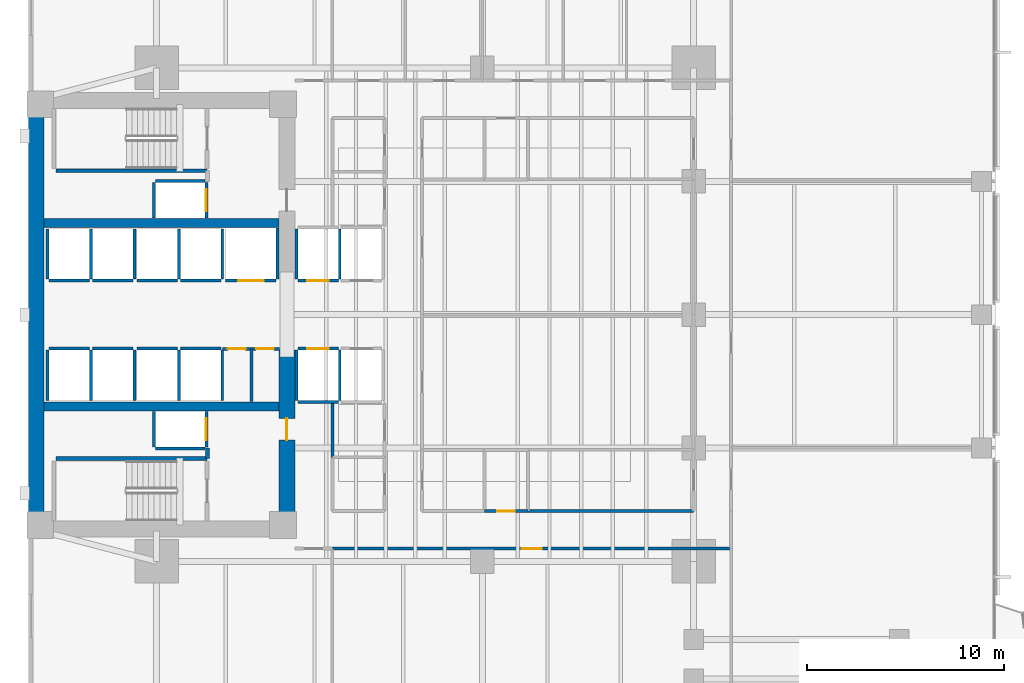
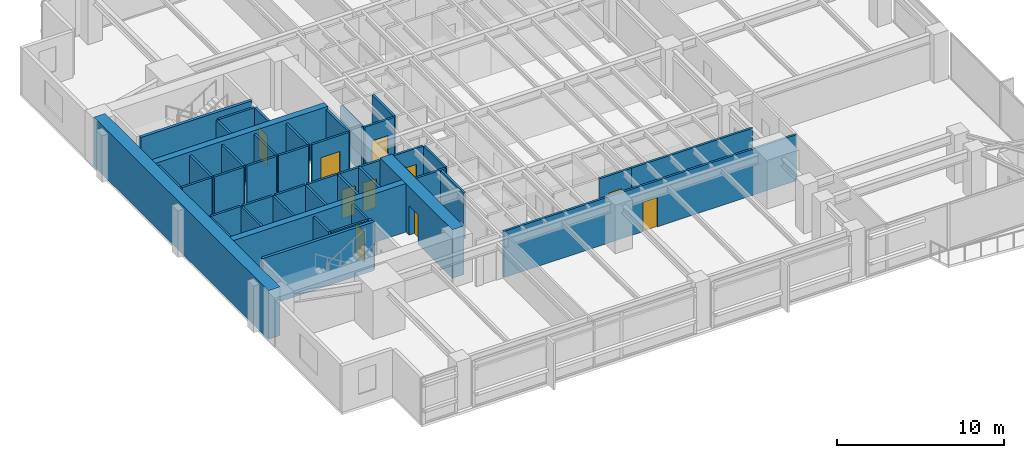
# One storey, part 8 of 15: 46 walls, 10 doors, 10 openings.
"""IFC4 building model written with IfcOpenShell, lengths in metres."""

from ifc_helpers import new_model, si_unit, direction, frame, frame_2d, origin, place, context, subcontext, project, spatial, rectangle, extrude, material, layer, layer_set, type_object, element, fill, save


model = new_model("IFC4")

# Units and contexts
model_context = context("Model", 3, precision=1e-05, world=origin(), true_north=direction((0.0, 1.0)))
body_context = subcontext(model_context, "Body", "Model", "MODEL_VIEW")
ifc_project = project(units=[si_unit("LENGTHUNIT", "METRE"), si_unit("AREAUNIT", "SQUARE_METRE"), si_unit("VOLUMEUNIT", "CUBIC_METRE"), si_unit("PLANEANGLEUNIT", "RADIAN"), si_unit("MASSUNIT", "GRAM", prefix="KILO")], contexts=[model_context])

# Site, building, storey
site_placement = place(None, origin())
site = spatial("IfcSite", under=ifc_project, at=site_placement, CompositionType="ELEMENT")
building_placement = place(site_placement, origin())
building = spatial("IfcBuilding", under=site, at=building_placement, Name="Kinhvarn Gate Tower", CompositionType="ELEMENT")
storey_placement = place(building_placement, frame((0.0, 0.0, 46.89990234375)))
storey = spatial("IfcBuildingStorey", under=building, at=storey_placement, Name="L11", CompositionType="ELEMENT", Elevation=46.89990234375)

# Walls
ifc_material_1 = material(Name="Concrete C50/60", Category="concrete")
ifc_layer_1 = layer(ifc_material_1, 0.449951171875)
ifc_layer_set_1 = layer_set([ifc_layer_1], Name="Concrete C50/60")
wall_type_1 = type_object("IfcWallType", Name="WL-CORE-450", PredefinedType="SHEAR", material=ifc_layer_set_1)
for number, where, z_axis, x_axis, name in (
    (1, (5.300048828125, 20.60009765625, 0.0), (0.0, 0.0, 1.0), (1.0, 0.0, 0.0), "Core South Spine Shear Wall L11 450 mm"),
    (2, (5.300048828125, 29.89990234375, 0.0), (0.0, 0.0, 1.0), (1.0, 0.0, 0.0), "Core North Spine Shear Wall L11 450 mm"),
):
    element("IfcWall", number, at=place(storey_placement, frame(where, z_axis=z_axis, x_axis=x_axis)), inside=storey, type_object=wall_type_1, Name=name, PredefinedType="SHEAR", context=body_context, shape_type="SweptSolid", body=[
        extrude(rectangle(XDim=11.89990234375, YDim=0.449951171875, at=frame_2d((5.949951171875, 0.0))), origin(), (0.0, 0.0, 1.0), 3.550048828125),
    ])

# Wall, opening, door
ifc_material_2 = material(Name="Concrete C70/85", Category="concrete")
ifc_layer_2 = layer(ifc_material_2, 0.800048828125)
ifc_layer_set_2 = layer_set([ifc_layer_2], Name="Concrete C70/85")
wall_type_2 = type_object("IfcWallType", Name="WL-CORE-800", PredefinedType="SHEAR", material=ifc_layer_set_2)
wall_1_placement = place(storey_placement, frame((17.60009765625, 14.800048828125, 0.0), z_axis=(0.0, 0.0, 1.0), x_axis=(0.0, 1.0, 0.0)))
wall_1 = element("IfcWall", 3, at=wall_1_placement, inside=storey, type_object=wall_type_2, Name="Core East-South Shear Pier L11 800 mm", PredefinedType="SHEAR", context=body_context, shape_type="SweptSolid", body=[
    extrude(rectangle(XDim=8.64990234375, YDim=0.800048828125, at=frame_2d((4.324951171875, 0.0))), origin(), (0.0, 0.0, 1.0), 3.550048828125),
])
opening_1_placement = place(wall_1_placement, frame((4.10009765625, 0.0, 0.0)))
opening_1 = element("IfcOpeningElement", 4, at=opening_1_placement, cuts=wall_1, Name="Opening FD-02", PredefinedType="OPENING", context=body_context, shape_type="SweptSolid", body=[
    extrude(rectangle(XDim=1.10009765625, YDim=2.14990234375, at=frame_2d((0.550048828125, 1.074951171875))), frame((0.0, 0.41015625, 0.0), z_axis=(0.0, -1.0, 0.0), x_axis=(1.0, 0.0, 0.0)), (0.0, 0.0, 1.0), 0.820068359375),
])
ifc_material_3 = material(Name="Anodised aluminium AW-6063", Category="aluminium")
door_type_1 = type_object("IfcDoorType", Name="DR-FD-1100", OperationType="NOTDEFINED", PredefinedType="DOOR", material=ifc_material_3)
door_1_placement = place(opening_1_placement, origin())
door_1 = element("IfcDoor", 5, at=door_1_placement, inside=storey, type_object=door_type_1, Name="Firefighting Lobby Core Door (L11)", OperationType="SINGLE_SWING_RIGHT", OverallHeight=2.14990234375, OverallWidth=1.10009765625, PredefinedType="DOOR", context=body_context, shape_type="SweptSolid", body=[
    extrude(rectangle(XDim=1.10009765625, YDim=2.14990234375, at=frame_2d((0.550048828125, 1.074951171875))), frame((0.0, 0.02490234375, 0.0), z_axis=(0.0, -1.0, 0.0), x_axis=(1.0, 0.0, 0.0)), (0.0, 0.0, 1.0), 0.050048828125),
])
fill(opening_1, door_1)

# Wall
ifc_layer_3 = layer(ifc_material_2, 0.800048828125)
ifc_layer_set_3 = layer_set([ifc_layer_3], Name="Concrete C70/85")
wall_type_3 = type_object("IfcWallType", Name="WL-COREX-800", PredefinedType="SHEAR", material=ifc_layer_set_3)
wall_2_placement = place(storey_placement, frame((4.89990234375, 14.800048828125, 0.0), z_axis=(0.0, 0.0, 1.0), x_axis=(0.0, 1.0, 0.0)))
element("IfcWall", 6, at=wall_2_placement, inside=storey, type_object=wall_type_3, Name="Core West Shear Wall L11 800 mm", PredefinedType="SHEAR", context=body_context, shape_type="SweptSolid", body=[
    extrude(rectangle(XDim=20.89990234375, YDim=0.800048828125, at=frame_2d((10.449951171875, 0.0))), origin(), (0.0, 0.0, 1.0), 3.550048828125),
])

# Wall, opening, door
ifc_material_4 = material(Name="Gypsum acoustic partition board")
ifc_layer_4 = layer(ifc_material_4, 0.14990234375)
ifc_layer_set_4 = layer_set([ifc_layer_4], Name="Gypsum acoustic partition board")
wall_type_4 = type_object("IfcWallType", Name="WL-PLM-150F", PredefinedType="PLUMBINGWALL", material=ifc_layer_set_4)
wall_3_placement = place(storey_placement, frame((27.60009765625, 15.300048828125, 0.0), z_axis=(0.0, 0.0, 1.0), x_axis=(1.0, 0.0, 0.0)))
wall_3 = element("IfcWall", 7, at=wall_3_placement, inside=storey, type_object=wall_type_4, Name="Interior Partition PLW-150F (L11)", PredefinedType="PLUMBINGWALL", context=body_context, shape_type="SweptSolid", body=[
    extrude(rectangle(XDim=2.199951171875, YDim=0.14990234375, at=frame_2d((1.10009765625, 0.0))), origin(), (0.0, 0.0, 1.0), 3.3701171875),
])
opening_2_placement = place(wall_3_placement, frame((0.64990234375, 0.0, 0.0)))
opening_2 = element("IfcOpeningElement", 8, at=opening_2_placement, cuts=wall_3, Name="Opening FD-04", PredefinedType="OPENING", context=body_context, shape_type="SweptSolid", body=[
    extrude(rectangle(XDim=0.89990234375, YDim=2.10009765625, at=frame_2d((0.449951171875, 1.050048828125))), frame((0.0, 0.0849609375, 0.0), z_axis=(0.0, -1.0, 0.0), x_axis=(1.0, 0.0, 0.0)), (0.0, 0.0, 1.0), 0.169921875),
])
door_type_2 = type_object("IfcDoorType", Name="DR-FD-900", OperationType="NOTDEFINED", PredefinedType="DOOR", material=ifc_material_3)
door_2_placement = place(opening_2_placement, origin())
door_2 = element("IfcDoor", 9, at=door_2_placement, inside=storey, type_object=door_type_2, Name="Rated Riser & Service Closet Fire Door 900x2100 mm (L11)", OperationType="SINGLE_SWING_RIGHT", OverallHeight=2.10009765625, OverallWidth=0.89990234375, PredefinedType="DOOR", context=body_context, shape_type="SweptSolid", body=[
    extrude(rectangle(XDim=0.89990234375, YDim=2.10009765625, at=frame_2d((0.449951171875, 1.050048828125))), frame((0.0, 0.02490234375, 0.0), z_axis=(0.0, -1.0, 0.0), x_axis=(1.0, 0.0, 0.0)), (0.0, 0.0, 1.0), 0.050048828125),
])
fill(opening_2, door_2)

# Wall
ifc_layer_5 = layer(ifc_material_4, 0.14990234375)
ifc_layer_set_5 = layer_set([ifc_layer_5], Name="Gypsum acoustic partition board")
wall_type_5 = type_object("IfcWallType", Name="WL-PRT-150F", PredefinedType="PARTITIONING", material=ifc_layer_set_5)
wall_4_placement = place(storey_placement, frame((15.800048828125, 20.85009765625, 0.0), z_axis=(0.0, 0.0, 1.0), x_axis=(0.0, 1.0, 0.0)))
element("IfcWall", 10, at=wall_4_placement, inside=storey, type_object=wall_type_5, Name="Interior Partition PW-150F (L11)", PredefinedType="PARTITIONING", context=body_context, shape_type="SweptSolid", body=[
    extrude(rectangle(XDim=2.669921875, YDim=0.14990234375, at=frame_2d((1.3349609375, 0.0))), origin(), (0.0, 0.0, 1.0), 3.3701171875),
])

# Wall, openings, doors
wall_5_placement = place(storey_placement, frame((14.330078125, 23.52001953125, 0.0), z_axis=(0.0, 0.0, 1.0), x_axis=(1.0, 0.0, 0.0)))
wall_5 = element("IfcWall", 11, at=wall_5_placement, inside=storey, type_object=wall_type_5, Name="Interior Partition PW-150F (L11)", PredefinedType="PARTITIONING", context=body_context, shape_type="SweptSolid", body=[
    extrude(rectangle(XDim=2.889892578125, YDim=0.14990234375, at=frame_2d((1.44482421875, 0.0))), origin(), (0.0, 0.0, 1.0), 3.3701171875),
])
opening_3_placement = place(wall_5_placement, frame((0.280029296875, 0.0, 0.0)))
opening_3 = element("IfcOpeningElement", 12, at=opening_3_placement, cuts=wall_5, Name="Opening FD-04", PredefinedType="OPENING", context=body_context, shape_type="SweptSolid", body=[
    extrude(rectangle(XDim=0.89990234375, YDim=2.10009765625, at=frame_2d((0.449951171875, 1.050048828125))), frame((0.0, 0.0849609375, 0.0), z_axis=(0.0, -1.0, 0.0), x_axis=(1.0, 0.0, 0.0)), (0.0, 0.0, 1.0), 0.169921875),
])
opening_4_placement = place(wall_5_placement, frame((1.7099609375, 0.0, 0.0)))
opening_4 = element("IfcOpeningElement", 13, at=opening_4_placement, cuts=wall_5, Name="Opening FD-04", PredefinedType="OPENING", context=body_context, shape_type="SweptSolid", body=[
    extrude(rectangle(XDim=0.89990234375, YDim=2.10009765625, at=frame_2d((0.449951171875, 1.050048828125))), frame((0.0, 0.0849609375, 0.0), z_axis=(0.0, -1.0, 0.0), x_axis=(1.0, 0.0, 0.0)), (0.0, 0.0, 1.0), 0.169921875),
])
door_3_placement = place(opening_3_placement, origin())
door_3 = element("IfcDoor", 14, at=door_3_placement, inside=storey, type_object=door_type_2, Name="Rated Riser & Service Closet Fire Door 900x2100 mm (L11)", OperationType="SINGLE_SWING_RIGHT", OverallHeight=2.10009765625, OverallWidth=0.89990234375, PredefinedType="DOOR", context=body_context, shape_type="SweptSolid", body=[
    extrude(rectangle(XDim=0.89990234375, YDim=2.10009765625, at=frame_2d((0.449951171875, 1.050048828125))), frame((0.0, 0.02490234375, 0.0), z_axis=(0.0, -1.0, 0.0), x_axis=(1.0, 0.0, 0.0)), (0.0, 0.0, 1.0), 0.050048828125),
])
fill(opening_3, door_3)
door_4_placement = place(opening_4_placement, origin())
door_4 = element("IfcDoor", 15, at=door_4_placement, inside=storey, type_object=door_type_2, Name="Rated Riser & Service Closet Fire Door 900x2100 mm (L11)", OperationType="SINGLE_SWING_LEFT", OverallHeight=2.10009765625, OverallWidth=0.89990234375, PredefinedType="DOOR", context=body_context, shape_type="SweptSolid", body=[
    extrude(rectangle(XDim=0.89990234375, YDim=2.10009765625, at=frame_2d((0.449951171875, 1.050048828125))), frame((0.0, 0.02490234375, 0.0), z_axis=(0.0, -1.0, 0.0), x_axis=(1.0, 0.0, 0.0)), (0.0, 0.0, 1.0), 0.050048828125),
])
fill(opening_4, door_4)

# Walls
wall_6_placement = place(storey_placement, frame((19.89990234375, 18.02001953125, 0.0), z_axis=(0.0, 0.0, 1.0), x_axis=(0.0, 1.0, 0.0)))
element("IfcWall", 16, at=wall_6_placement, inside=storey, type_object=wall_type_5, Name="Interior Partition PW-150F (L11)", PredefinedType="PARTITIONING", context=body_context, shape_type="SweptSolid", body=[
    extrude(rectangle(XDim=2.72998046875, YDim=0.14990234375, at=frame_2d((1.364990234375, 0.0))), origin(), (0.0, 0.0, 1.0), 3.3701171875),
])
wall_7_placement = place(storey_placement, frame((29.800048828125, 15.300048828125, 0.0), z_axis=(0.0, 0.0, 1.0), x_axis=(1.0, 0.0, 0.0)))
element("IfcWall", 17, at=wall_7_placement, inside=storey, type_object=wall_type_5, Name="Interior Partition PW-150F (L11)", PredefinedType="PARTITIONING", context=body_context, shape_type="SweptSolid", body=[
    extrude(rectangle(XDim=8.39990234375, YDim=0.14990234375, at=frame_2d((4.199951171875, 0.0))), origin(), (0.0, 0.0, 1.0), 3.3701171875),
])

# Wall, opening, door
wall_8_placement = place(storey_placement, frame((19.89990234375, 13.39990234375, 0.0), z_axis=(0.0, 0.0, 1.0), x_axis=(1.0, 0.0, 0.0)))
wall_8 = element("IfcWall", 18, at=wall_8_placement, inside=storey, type_object=wall_type_5, Name="Interior Partition PW-150F (L11)", PredefinedType="PARTITIONING", context=body_context, shape_type="SweptSolid", body=[
    extrude(rectangle(XDim=20.2001953125, YDim=0.14990234375, at=frame_2d((10.10009765625, 0.0))), origin(), (0.0, 0.0, 1.0), 3.3701171875),
])
opening_5_placement = place(wall_8_placement, frame((9.60009765625, 0.0, 0.0)))
opening_5 = element("IfcOpeningElement", 19, at=opening_5_placement, cuts=wall_8, Name="Opening ID-02", PredefinedType="OPENING", context=body_context, shape_type="SweptSolid", body=[
    extrude(rectangle(XDim=1.0, YDim=2.14990234375, at=frame_2d((0.5, 1.074951171875))), frame((0.0, 0.0849609375, 0.0), z_axis=(0.0, -1.0, 0.0), x_axis=(1.0, 0.0, 0.0)), (0.0, 0.0, 1.0), 0.169921875),
])
door_type_3 = type_object("IfcDoorType", Name="DR-INT-1000", OperationType="NOTDEFINED", PredefinedType="DOOR", material=ifc_material_3)
door_5_placement = place(opening_5_placement, origin())
door_5 = element("IfcDoor", 20, at=door_5_placement, inside=storey, type_object=door_type_3, Name="Standard Office & Meeting Room Door 1000x2150 mm (L11)", OperationType="SINGLE_SWING_RIGHT", OverallHeight=2.14990234375, OverallWidth=1.0, PredefinedType="DOOR", context=body_context, shape_type="SweptSolid", body=[
    extrude(rectangle(XDim=1.0, YDim=2.14990234375, at=frame_2d((0.5, 1.074951171875))), frame((0.0, 0.02490234375, 0.0), z_axis=(0.0, -1.0, 0.0), x_axis=(1.0, 0.0, 0.0)), (0.0, 0.0, 1.0), 0.050048828125),
])
fill(opening_5, door_5)

# Walls
ifc_layer_6 = layer(ifc_material_4, 0.199951171875)
ifc_layer_set_6 = layer_set([ifc_layer_6], Name="Gypsum acoustic partition board")
wall_type_6 = type_object("IfcWallType", Name="WL-PRT-200", PredefinedType="PARTITIONING", material=ifc_layer_set_6)
wall_9_placement = place(storey_placement, frame((13.580078125, 17.9599609375, 0.0), z_axis=(0.0, 0.0, 1.0), x_axis=(0.0, 1.0, 0.0)))
element("IfcWall", 21, at=wall_9_placement, inside=storey, type_object=wall_type_6, Name="Interior Partition PW-200 (L11)", PredefinedType="PARTITIONING", context=body_context, shape_type="SweptSolid", body=[
    extrude(rectangle(XDim=0.5400390625, YDim=0.199951171875, at=frame_2d((0.27001953125, 0.0))), origin(), (0.0, 0.0, 1.0), 3.3701171875),
])
ifc_layer_7 = layer(ifc_material_4, 0.14990234375)
ifc_layer_set_7 = layer_set([ifc_layer_7], Name="Gypsum acoustic partition board")
wall_type_7 = type_object("IfcWallType", Name="WL-SHF-150", PredefinedType="PARTITIONING", material=ifc_layer_set_7)
wall_10_placement = place(storey_placement, frame((18.14990234375, 20.824951171875, 0.0), z_axis=(0.0, 0.0, 1.0), x_axis=(1.0, 0.0, 0.0)))
element("IfcWall", 22, at=wall_10_placement, inside=storey, type_object=wall_type_7, Name="Elevator PL-01 Hoistway Wall S (L11)", PredefinedType="PARTITIONING", context=body_context, shape_type="SweptSolid", body=[
    extrude(rectangle(XDim=2.050048828125, YDim=0.14990234375, at=frame_2d((1.02490234375, 0.0))), origin(), (0.0, 0.0, 1.0), 3.3701171875),
])

# Wall, opening, door
wall_11_placement = place(storey_placement, frame((18.14990234375, 23.52490234375, 0.0), z_axis=(0.0, 0.0, 1.0), x_axis=(1.0, 0.0, 0.0)))
wall_11 = element("IfcWall", 23, at=wall_11_placement, inside=storey, type_object=wall_type_7, Name="Elevator PL-01 Landing Wall (L11)", PredefinedType="PARTITIONING", context=body_context, shape_type="SweptSolid", body=[
    extrude(rectangle(XDim=2.050048828125, YDim=0.14990234375, at=frame_2d((1.02490234375, 0.0))), origin(), (0.0, 0.0, 1.0), 3.3701171875),
])
opening_6_placement = place(wall_11_placement, frame((0.47509765625, 0.0, 0.0)))
opening_6 = element("IfcOpeningElement", 24, at=opening_6_placement, cuts=wall_11, Name="Opening LD-01", PredefinedType="OPENING", context=body_context, shape_type="SweptSolid", body=[
    extrude(rectangle(XDim=1.10009765625, YDim=2.199951171875, at=frame_2d((0.550048828125, 1.10009765625))), frame((0.0, 0.0849609375, 0.0), z_axis=(0.0, -1.0, 0.0), x_axis=(1.0, 0.0, 0.0)), (0.0, 0.0, 1.0), 0.169921875),
])
door_type_4 = type_object("IfcDoorType", Name="DR-LND-PAS", OperationType="NOTDEFINED", PredefinedType="DOOR", material=ifc_material_3)
door_6_placement = place(opening_6_placement, origin())
door_6 = element("IfcDoor", 25, at=door_6_placement, inside=storey, type_object=door_type_4, Name="Elevator PL-01 Sliding Landing Door (L11)", OperationType="DOUBLE_DOOR_SLIDING", OverallHeight=2.199951171875, OverallWidth=1.10009765625, PredefinedType="DOOR", context=body_context, shape_type="SweptSolid", body=[
    extrude(rectangle(XDim=1.10009765625, YDim=2.199951171875, at=frame_2d((0.550048828125, 1.10009765625))), frame((0.0, 0.02490234375, 0.0), z_axis=(0.0, -1.0, 0.0), x_axis=(1.0, 0.0, 0.0)), (0.0, 0.0, 1.0), 0.050048828125),
])
fill(opening_6, door_6)

# Walls
for number, where, z_axis, x_axis, name in (
    (26, (18.074951171875, 20.89990234375, 0.0), (0.0, 0.0, 1.0), (0.0, 1.0, 0.0), "Elevator PL-01 Hoistway Wall W (L11)"),
    (27, (20.27490234375, 20.89990234375, 0.0), (0.0, 0.0, 1.0), (0.0, 1.0, 0.0), "Elevator PL-01 Hoistway Wall E (L11)"),
):
    element("IfcWall", number, at=place(storey_placement, frame(where, z_axis=z_axis, x_axis=x_axis)), inside=storey, type_object=wall_type_7, Name=name, PredefinedType="PARTITIONING", context=body_context, shape_type="SweptSolid", body=[
        extrude(rectangle(XDim=2.550048828125, YDim=0.14990234375, at=frame_2d((1.27490234375, 0.0))), origin(), (0.0, 0.0, 1.0), 3.3701171875),
    ])

# Wall, opening, door
wall_12_placement = place(storey_placement, frame((18.14990234375, 26.97509765625, 0.0), z_axis=(0.0, 0.0, 1.0), x_axis=(1.0, 0.0, 0.0)))
wall_12 = element("IfcWall", 28, at=wall_12_placement, inside=storey, type_object=wall_type_7, Name="Elevator PL-03 Landing Wall (L11)", PredefinedType="PARTITIONING", context=body_context, shape_type="SweptSolid", body=[
    extrude(rectangle(XDim=2.050048828125, YDim=0.14990234375, at=frame_2d((1.02490234375, 0.0))), origin(), (0.0, 0.0, 1.0), 3.3701171875),
])
opening_7_placement = place(wall_12_placement, frame((0.47509765625, 0.0, 0.0)))
opening_7 = element("IfcOpeningElement", 29, at=opening_7_placement, cuts=wall_12, Name="Opening LD-01", PredefinedType="OPENING", context=body_context, shape_type="SweptSolid", body=[
    extrude(rectangle(XDim=1.10009765625, YDim=2.199951171875, at=frame_2d((0.550048828125, 1.10009765625))), frame((0.0, 0.0849609375, 0.0), z_axis=(0.0, -1.0, 0.0), x_axis=(1.0, 0.0, 0.0)), (0.0, 0.0, 1.0), 0.169921875),
])
door_7_placement = place(opening_7_placement, origin())
door_7 = element("IfcDoor", 30, at=door_7_placement, inside=storey, type_object=door_type_4, Name="Elevator PL-03 Sliding Landing Door (L11)", OperationType="DOUBLE_DOOR_SLIDING", OverallHeight=2.199951171875, OverallWidth=1.10009765625, PredefinedType="DOOR", context=body_context, shape_type="SweptSolid", body=[
    extrude(rectangle(XDim=1.10009765625, YDim=2.199951171875, at=frame_2d((0.550048828125, 1.10009765625))), frame((0.0, 0.02490234375, 0.0), z_axis=(0.0, -1.0, 0.0), x_axis=(1.0, 0.0, 0.0)), (0.0, 0.0, 1.0), 0.050048828125),
])
fill(opening_7, door_7)

# Walls
for number, where, z_axis, x_axis, name in (
    (31, (18.074951171875, 27.050048828125, 0.0), (0.0, 0.0, 1.0), (0.0, 1.0, 0.0), "Elevator PL-03 Hoistway Wall W (L11)"),
    (32, (20.27490234375, 27.050048828125, 0.0), (0.0, 0.0, 1.0), (0.0, 1.0, 0.0), "Elevator PL-03 Hoistway Wall E (L11)"),
):
    element("IfcWall", number, at=place(storey_placement, frame(where, z_axis=z_axis, x_axis=x_axis)), inside=storey, type_object=wall_type_7, Name=name, PredefinedType="PARTITIONING", context=body_context, shape_type="SweptSolid", body=[
        extrude(rectangle(XDim=2.550048828125, YDim=0.14990234375, at=frame_2d((1.27490234375, 0.0))), origin(), (0.0, 0.0, 1.0), 3.3701171875),
    ])
wall_13_placement = place(storey_placement, frame((5.550048828125, 23.52490234375, 0.0), z_axis=(0.0, 0.0, 1.0), x_axis=(1.0, 0.0, 0.0)))
element("IfcWall", 33, at=wall_13_placement, inside=storey, type_object=wall_type_7, Name="Elevator PM-05 Landing Wall (L11)", PredefinedType="PARTITIONING", context=body_context, shape_type="SweptSolid", body=[
    extrude(rectangle(XDim=2.050048828125, YDim=0.14990234375, at=frame_2d((1.02490234375, 0.0))), origin(), (0.0, 0.0, 1.0), 3.3701171875),
])
for number, where, z_axis, x_axis, name in (
    (34, (5.47509765625, 20.89990234375, 0.0), (0.0, 0.0, 1.0), (0.0, 1.0, 0.0), "Elevator PM-05 Hoistway Wall W (L11)"),
    (35, (7.675048828125, 20.89990234375, 0.0), (0.0, 0.0, 1.0), (0.0, 1.0, 0.0), "Elevator PM-05 Hoistway Wall E (L11)"),
):
    element("IfcWall", number, at=place(storey_placement, frame(where, z_axis=z_axis, x_axis=x_axis)), inside=storey, type_object=wall_type_7, Name=name, PredefinedType="PARTITIONING", context=body_context, shape_type="SweptSolid", body=[
        extrude(rectangle(XDim=2.550048828125, YDim=0.14990234375, at=frame_2d((1.27490234375, 0.0))), origin(), (0.0, 0.0, 1.0), 3.3701171875),
    ])
wall_14_placement = place(storey_placement, frame((7.75, 23.52490234375, 0.0), z_axis=(0.0, 0.0, 1.0), x_axis=(1.0, 0.0, 0.0)))
element("IfcWall", 36, at=wall_14_placement, inside=storey, type_object=wall_type_7, Name="Elevator PM-06 Landing Wall (L11)", PredefinedType="PARTITIONING", context=body_context, shape_type="SweptSolid", body=[
    extrude(rectangle(XDim=2.050048828125, YDim=0.14990234375, at=frame_2d((1.02490234375, 0.0))), origin(), (0.0, 0.0, 1.0), 3.3701171875),
])
wall_15_placement = place(storey_placement, frame((9.875, 20.89990234375, 0.0), z_axis=(0.0, 0.0, 1.0), x_axis=(0.0, 1.0, 0.0)))
element("IfcWall", 37, at=wall_15_placement, inside=storey, type_object=wall_type_7, Name="Elevator PM-06 Hoistway Wall E (L11)", PredefinedType="PARTITIONING", context=body_context, shape_type="SweptSolid", body=[
    extrude(rectangle(XDim=2.550048828125, YDim=0.14990234375, at=frame_2d((1.27490234375, 0.0))), origin(), (0.0, 0.0, 1.0), 3.3701171875),
])
wall_16_placement = place(storey_placement, frame((5.550048828125, 26.97509765625, 0.0), z_axis=(0.0, 0.0, 1.0), x_axis=(1.0, 0.0, 0.0)))
element("IfcWall", 38, at=wall_16_placement, inside=storey, type_object=wall_type_7, Name="Elevator PM-07 Landing Wall (L11)", PredefinedType="PARTITIONING", context=body_context, shape_type="SweptSolid", body=[
    extrude(rectangle(XDim=2.050048828125, YDim=0.14990234375, at=frame_2d((1.02490234375, 0.0))), origin(), (0.0, 0.0, 1.0), 3.3701171875),
])
for number, where, z_axis, x_axis, name in (
    (39, (5.47509765625, 27.050048828125, 0.0), (0.0, 0.0, 1.0), (0.0, 1.0, 0.0), "Elevator PM-07 Hoistway Wall W (L11)"),
    (40, (7.675048828125, 27.050048828125, 0.0), (0.0, 0.0, 1.0), (0.0, 1.0, 0.0), "Elevator PM-07 Hoistway Wall E (L11)"),
):
    element("IfcWall", number, at=place(storey_placement, frame(where, z_axis=z_axis, x_axis=x_axis)), inside=storey, type_object=wall_type_7, Name=name, PredefinedType="PARTITIONING", context=body_context, shape_type="SweptSolid", body=[
        extrude(rectangle(XDim=2.550048828125, YDim=0.14990234375, at=frame_2d((1.27490234375, 0.0))), origin(), (0.0, 0.0, 1.0), 3.3701171875),
    ])
wall_17_placement = place(storey_placement, frame((7.75, 26.97509765625, 0.0), z_axis=(0.0, 0.0, 1.0), x_axis=(1.0, 0.0, 0.0)))
element("IfcWall", 41, at=wall_17_placement, inside=storey, type_object=wall_type_7, Name="Elevator PM-08 Landing Wall (L11)", PredefinedType="PARTITIONING", context=body_context, shape_type="SweptSolid", body=[
    extrude(rectangle(XDim=2.050048828125, YDim=0.14990234375, at=frame_2d((1.02490234375, 0.0))), origin(), (0.0, 0.0, 1.0), 3.3701171875),
])
wall_18_placement = place(storey_placement, frame((9.875, 27.050048828125, 0.0), z_axis=(0.0, 0.0, 1.0), x_axis=(0.0, 1.0, 0.0)))
element("IfcWall", 42, at=wall_18_placement, inside=storey, type_object=wall_type_7, Name="Elevator PM-08 Hoistway Wall E (L11)", PredefinedType="PARTITIONING", context=body_context, shape_type="SweptSolid", body=[
    extrude(rectangle(XDim=2.550048828125, YDim=0.14990234375, at=frame_2d((1.27490234375, 0.0))), origin(), (0.0, 0.0, 1.0), 3.3701171875),
])
wall_19_placement = place(storey_placement, frame((10.0, 23.52490234375, 0.0), z_axis=(0.0, 0.0, 1.0), x_axis=(1.0, 0.0, 0.0)))
element("IfcWall", 43, at=wall_19_placement, inside=storey, type_object=wall_type_7, Name="Elevator PH-09 Landing Wall (L11)", PredefinedType="PARTITIONING", context=body_context, shape_type="SweptSolid", body=[
    extrude(rectangle(XDim=2.050048828125, YDim=0.14990234375, at=frame_2d((1.02490234375, 0.0))), origin(), (0.0, 0.0, 1.0), 3.3701171875),
])
wall_20_placement = place(storey_placement, frame((12.125, 20.89990234375, 0.0), z_axis=(0.0, 0.0, 1.0), x_axis=(0.0, 1.0, 0.0)))
element("IfcWall", 44, at=wall_20_placement, inside=storey, type_object=wall_type_7, Name="Elevator PH-09 Hoistway Wall E (L11)", PredefinedType="PARTITIONING", context=body_context, shape_type="SweptSolid", body=[
    extrude(rectangle(XDim=2.550048828125, YDim=0.14990234375, at=frame_2d((1.27490234375, 0.0))), origin(), (0.0, 0.0, 1.0), 3.3701171875),
])
wall_21_placement = place(storey_placement, frame((12.199951171875, 23.52490234375, 0.0), z_axis=(0.0, 0.0, 1.0), x_axis=(1.0, 0.0, 0.0)))
element("IfcWall", 45, at=wall_21_placement, inside=storey, type_object=wall_type_7, Name="Elevator PH-10 Landing Wall (L11)", PredefinedType="PARTITIONING", context=body_context, shape_type="SweptSolid", body=[
    extrude(rectangle(XDim=2.050048828125, YDim=0.14990234375, at=frame_2d((1.02490234375, 0.0))), origin(), (0.0, 0.0, 1.0), 3.3701171875),
])
wall_22_placement = place(storey_placement, frame((14.324951171875, 20.89990234375, 0.0), z_axis=(0.0, 0.0, 1.0), x_axis=(0.0, 1.0, 0.0)))
element("IfcWall", 46, at=wall_22_placement, inside=storey, type_object=wall_type_7, Name="Elevator PH-10 Hoistway Wall E (L11)", PredefinedType="PARTITIONING", context=body_context, shape_type="SweptSolid", body=[
    extrude(rectangle(XDim=2.550048828125, YDim=0.14990234375, at=frame_2d((1.27490234375, 0.0))), origin(), (0.0, 0.0, 1.0), 3.3701171875),
])
wall_23_placement = place(storey_placement, frame((10.0, 26.97509765625, 0.0), z_axis=(0.0, 0.0, 1.0), x_axis=(1.0, 0.0, 0.0)))
element("IfcWall", 47, at=wall_23_placement, inside=storey, type_object=wall_type_7, Name="Elevator PH-11 Landing Wall (L11)", PredefinedType="PARTITIONING", context=body_context, shape_type="SweptSolid", body=[
    extrude(rectangle(XDim=2.050048828125, YDim=0.14990234375, at=frame_2d((1.02490234375, 0.0))), origin(), (0.0, 0.0, 1.0), 3.3701171875),
])
wall_24_placement = place(storey_placement, frame((12.125, 27.050048828125, 0.0), z_axis=(0.0, 0.0, 1.0), x_axis=(0.0, 1.0, 0.0)))
element("IfcWall", 48, at=wall_24_placement, inside=storey, type_object=wall_type_7, Name="Elevator PH-11 Hoistway Wall E (L11)", PredefinedType="PARTITIONING", context=body_context, shape_type="SweptSolid", body=[
    extrude(rectangle(XDim=2.550048828125, YDim=0.14990234375, at=frame_2d((1.27490234375, 0.0))), origin(), (0.0, 0.0, 1.0), 3.3701171875),
])
wall_25_placement = place(storey_placement, frame((12.199951171875, 26.97509765625, 0.0), z_axis=(0.0, 0.0, 1.0), x_axis=(1.0, 0.0, 0.0)))
element("IfcWall", 49, at=wall_25_placement, inside=storey, type_object=wall_type_7, Name="Elevator PH-12 Landing Wall (L11)", PredefinedType="PARTITIONING", context=body_context, shape_type="SweptSolid", body=[
    extrude(rectangle(XDim=2.050048828125, YDim=0.14990234375, at=frame_2d((1.02490234375, 0.0))), origin(), (0.0, 0.0, 1.0), 3.3701171875),
])
wall_26_placement = place(storey_placement, frame((14.324951171875, 27.050048828125, 0.0), z_axis=(0.0, 0.0, 1.0), x_axis=(0.0, 1.0, 0.0)))
element("IfcWall", 50, at=wall_26_placement, inside=storey, type_object=wall_type_7, Name="Elevator PH-12 Hoistway Wall E (L11)", PredefinedType="PARTITIONING", context=body_context, shape_type="SweptSolid", body=[
    extrude(rectangle(XDim=2.550048828125, YDim=0.14990234375, at=frame_2d((1.27490234375, 0.0))), origin(), (0.0, 0.0, 1.0), 3.3701171875),
])

# Wall, opening, door
wall_27_placement = place(storey_placement, frame((14.5, 26.97509765625, 0.0), z_axis=(0.0, 0.0, 1.0), x_axis=(1.0, 0.0, 0.0)))
wall_27 = element("IfcWall", 51, at=wall_27_placement, inside=storey, type_object=wall_type_7, Name="Elevator SV-01 Landing Wall (L11)", PredefinedType="PARTITIONING", context=body_context, shape_type="SweptSolid", body=[
    extrude(rectangle(XDim=2.550048828125, YDim=0.14990234375, at=frame_2d((1.27490234375, 0.0))), origin(), (0.0, 0.0, 1.0), 3.3701171875),
])
opening_8_placement = place(wall_27_placement, frame((0.625, 0.0, 0.0)))
opening_8 = element("IfcOpeningElement", 52, at=opening_8_placement, cuts=wall_27, Name="Opening LD-02", PredefinedType="OPENING", context=body_context, shape_type="SweptSolid", body=[
    extrude(rectangle(XDim=1.300048828125, YDim=2.199951171875, at=frame_2d((0.64990234375, 1.10009765625))), frame((0.0, 0.0849609375, 0.0), z_axis=(0.0, -1.0, 0.0), x_axis=(1.0, 0.0, 0.0)), (0.0, 0.0, 1.0), 0.169921875),
])
door_type_5 = type_object("IfcDoorType", Name="DR-LND-SRV", OperationType="NOTDEFINED", PredefinedType="DOOR", material=ifc_material_3)
door_8_placement = place(opening_8_placement, origin())
door_8 = element("IfcDoor", 53, at=door_8_placement, inside=storey, type_object=door_type_5, Name="Elevator SV-01 Sliding Landing Door (L11)", OperationType="DOUBLE_DOOR_SLIDING", OverallHeight=2.199951171875, OverallWidth=1.300048828125, PredefinedType="DOOR", context=body_context, shape_type="SweptSolid", body=[
    extrude(rectangle(XDim=1.300048828125, YDim=2.199951171875, at=frame_2d((0.64990234375, 1.10009765625))), frame((0.0, 0.02490234375, 0.0), z_axis=(0.0, -1.0, 0.0), x_axis=(1.0, 0.0, 0.0)), (0.0, 0.0, 1.0), 0.050048828125),
])
fill(opening_8, door_8)

# Walls
wall_28_placement = place(storey_placement, frame((17.125, 27.050048828125, 0.0), z_axis=(0.0, 0.0, 1.0), x_axis=(0.0, 1.0, 0.0)))
element("IfcWall", 54, at=wall_28_placement, inside=storey, type_object=wall_type_7, Name="Elevator SV-01 Hoistway Wall E (L11)", PredefinedType="PARTITIONING", context=body_context, shape_type="SweptSolid", body=[
    extrude(rectangle(XDim=2.599853515625, YDim=0.14990234375, at=frame_2d((1.2998046875, 0.0))), origin(), (0.0, 0.0, 1.0), 3.3701171875),
])
wall_29_placement = place(storey_placement, frame((10.949951171875, 18.47509765625, 0.0), z_axis=(0.0, 0.0, 1.0), x_axis=(1.0, 0.0, 0.0)))
element("IfcWall", 55, at=wall_29_placement, inside=storey, type_object=wall_type_7, Name="Elevator FF1 Hoistway Wall S (L11)", PredefinedType="PARTITIONING", context=body_context, shape_type="SweptSolid", body=[
    extrude(rectangle(XDim=2.5, YDim=0.14990234375, at=frame_2d((1.25, 0.0))), origin(), (0.0, 0.0, 1.0), 3.3701171875),
])
wall_30_placement = place(storey_placement, frame((10.875, 18.550048828125, 0.0), z_axis=(0.0, 0.0, 1.0), x_axis=(0.0, 1.0, 0.0)))
element("IfcWall", 56, at=wall_30_placement, inside=storey, type_object=wall_type_7, Name="Elevator FF1 Hoistway Wall W (L11)", PredefinedType="PARTITIONING", context=body_context, shape_type="SweptSolid", body=[
    extrude(rectangle(XDim=1.800048828125, YDim=0.14990234375, at=frame_2d((0.89990234375, 0.0))), origin(), (0.0, 0.0, 1.0), 3.3701171875),
])

# Wall, opening, door
wall_31_placement = place(storey_placement, frame((13.52490234375, 18.550048828125, 0.0), z_axis=(0.0, 0.0, 1.0), x_axis=(0.0, 1.0, 0.0)))
wall_31 = element("IfcWall", 57, at=wall_31_placement, inside=storey, type_object=wall_type_7, Name="Elevator FF1 Landing Wall (L11)", PredefinedType="PARTITIONING", context=body_context, shape_type="SweptSolid", body=[
    extrude(rectangle(XDim=1.800048828125, YDim=0.14990234375, at=frame_2d((0.89990234375, 0.0))), origin(), (0.0, 0.0, 1.0), 3.3701171875),
])
opening_9_placement = place(wall_31_placement, frame((0.35009765625, 0.0, 0.0)))
opening_9 = element("IfcOpeningElement", 58, at=opening_9_placement, cuts=wall_31, Name="Opening LD-03", PredefinedType="OPENING", context=body_context, shape_type="SweptSolid", body=[
    extrude(rectangle(XDim=1.10009765625, YDim=2.199951171875, at=frame_2d((0.550048828125, 1.10009765625))), frame((0.0, 0.0849609375, 0.0), z_axis=(0.0, -1.0, 0.0), x_axis=(1.0, 0.0, 0.0)), (0.0, 0.0, 1.0), 0.169921875),
])
door_type_6 = type_object("IfcDoorType", Name="DR-LND-FF", OperationType="NOTDEFINED", PredefinedType="DOOR", material=ifc_material_3)
door_9_placement = place(opening_9_placement, origin())
door_9 = element("IfcDoor", 59, at=door_9_placement, inside=storey, type_object=door_type_6, Name="Elevator FF1 Sliding Landing Door (L11)", OperationType="DOUBLE_DOOR_SLIDING", OverallHeight=2.199951171875, OverallWidth=1.10009765625, PredefinedType="DOOR", context=body_context, shape_type="SweptSolid", body=[
    extrude(rectangle(XDim=1.10009765625, YDim=2.199951171875, at=frame_2d((0.550048828125, 1.10009765625))), frame((0.0, 0.02490234375, 0.0), z_axis=(0.0, -1.0, 0.0), x_axis=(1.0, 0.0, 0.0)), (0.0, 0.0, 1.0), 0.050048828125),
])
fill(opening_9, door_9)

# Walls
wall_32_placement = place(storey_placement, frame((10.949951171875, 32.02490234375, 0.0), z_axis=(0.0, 0.0, 1.0), x_axis=(1.0, 0.0, 0.0)))
element("IfcWall", 60, at=wall_32_placement, inside=storey, type_object=wall_type_7, Name="Elevator FF2 Hoistway Wall N (L11)", PredefinedType="PARTITIONING", context=body_context, shape_type="SweptSolid", body=[
    extrude(rectangle(XDim=2.5, YDim=0.14990234375, at=frame_2d((1.25, 0.0))), origin(), (0.0, 0.0, 1.0), 3.3701171875),
])
wall_33_placement = place(storey_placement, frame((10.875, 30.14990234375, 0.0), z_axis=(0.0, 0.0, 1.0), x_axis=(0.0, 1.0, 0.0)))
element("IfcWall", 61, at=wall_33_placement, inside=storey, type_object=wall_type_7, Name="Elevator FF2 Hoistway Wall W (L11)", PredefinedType="PARTITIONING", context=body_context, shape_type="SweptSolid", body=[
    extrude(rectangle(XDim=1.800048828125, YDim=0.14990234375, at=frame_2d((0.89990234375, 0.0))), origin(), (0.0, 0.0, 1.0), 3.3701171875),
])

# Wall, opening, door
wall_34_placement = place(storey_placement, frame((13.52490234375, 30.14990234375, 0.0), z_axis=(0.0, 0.0, 1.0), x_axis=(0.0, 1.0, 0.0)))
wall_34 = element("IfcWall", 62, at=wall_34_placement, inside=storey, type_object=wall_type_7, Name="Elevator FF2 Landing Wall (L11)", PredefinedType="PARTITIONING", context=body_context, shape_type="SweptSolid", body=[
    extrude(rectangle(XDim=1.800048828125, YDim=0.14990234375, at=frame_2d((0.89990234375, 0.0))), origin(), (0.0, 0.0, 1.0), 3.3701171875),
])
opening_10_placement = place(wall_34_placement, frame((0.35009765625, 0.0, 0.0)))
opening_10 = element("IfcOpeningElement", 63, at=opening_10_placement, cuts=wall_34, Name="Opening LD-03", PredefinedType="OPENING", context=body_context, shape_type="SweptSolid", body=[
    extrude(rectangle(XDim=1.10009765625, YDim=2.199951171875, at=frame_2d((0.550048828125, 1.10009765625))), frame((0.0, 0.0849609375, 0.0), z_axis=(0.0, -1.0, 0.0), x_axis=(1.0, 0.0, 0.0)), (0.0, 0.0, 1.0), 0.169921875),
])
door_10_placement = place(opening_10_placement, origin())
door_10 = element("IfcDoor", 64, at=door_10_placement, inside=storey, type_object=door_type_6, Name="Elevator FF2 Sliding Landing Door (L11)", OperationType="DOUBLE_DOOR_SLIDING", OverallHeight=2.199951171875, OverallWidth=1.10009765625, PredefinedType="DOOR", context=body_context, shape_type="SweptSolid", body=[
    extrude(rectangle(XDim=1.10009765625, YDim=2.199951171875, at=frame_2d((0.550048828125, 1.10009765625))), frame((0.0, 0.02490234375, 0.0), z_axis=(0.0, -1.0, 0.0), x_axis=(1.0, 0.0, 0.0)), (0.0, 0.0, 1.0), 0.050048828125),
])
fill(opening_10, door_10)

# Walls
ifc_material_5 = material(Name="Concrete C40/50", Category="concrete")
ifc_layer_8 = layer(ifc_material_5, 0.199951171875)
ifc_layer_set_8 = layer_set([ifc_layer_8], Name="Concrete C40/50")
wall_type_8 = type_object("IfcWallType", Name="WL-SHF-200", PredefinedType="SOLIDWALL", material=ifc_layer_set_8)
for number, where, z_axis, x_axis, name in (
    (65, (5.89990234375, 17.9599609375, 0.0), (0.0, 0.0, 1.0), (1.0, 0.0, 0.0), "Stair ST1 North Shaft Wall (L11)"),
    (66, (5.89990234375, 32.5400390625, 0.0), (0.0, 0.0, 1.0), (1.0, 0.0, 0.0), "Stair ST2 South Shaft Wall (L11)"),
):
    element("IfcWall", number, at=place(storey_placement, frame(where, z_axis=z_axis, x_axis=x_axis)), inside=storey, type_object=wall_type_8, Name=name, PredefinedType="SOLIDWALL", context=body_context, shape_type="SweptSolid", body=[
        extrude(rectangle(XDim=7.66015625, YDim=0.199951171875, at=frame_2d((3.830078125, 0.0))), origin(), (0.0, 0.0, 1.0), 3.550048828125),
    ])

save(model, "model.ifc")
